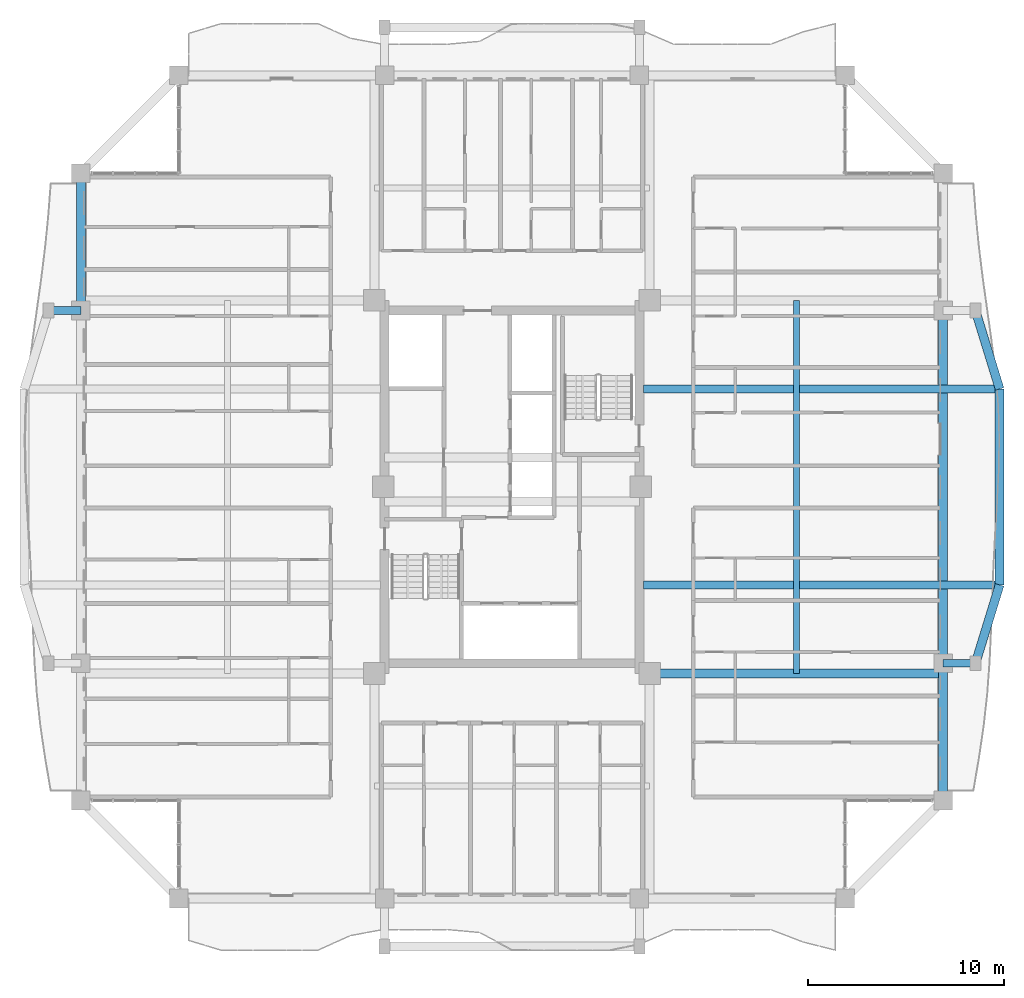
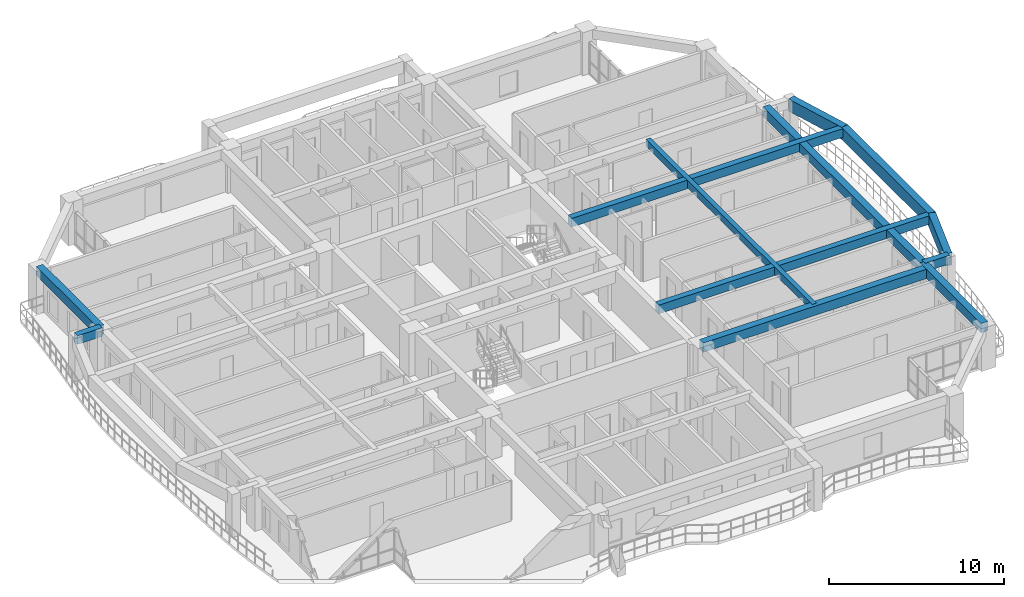
# One storey, part 5 of 24: 12 beams.
"""IFC4 building model written with IfcOpenShell, lengths in metres."""

from ifc_helpers import new_model, si_unit, direction, frame, origin, origin_2d, place, context, subcontext, project, spatial, rectangle, extrude, source, transform, mapped, material, material_profile, profile_set, type_object, element, save


model = new_model("IFC4")

# Units and contexts
model_context = context("Model", 3, precision=1e-05, world=origin(), true_north=direction((0.0, 1.0)))
body_context = subcontext(model_context, "Body", "Model", "MODEL_VIEW")
ifc_project = project(units=[si_unit("LENGTHUNIT", "METRE"), si_unit("AREAUNIT", "SQUARE_METRE"), si_unit("VOLUMEUNIT", "CUBIC_METRE"), si_unit("PLANEANGLEUNIT", "RADIAN"), si_unit("MASSUNIT", "GRAM", prefix="KILO")], contexts=[model_context])

# Site, building, storey
site_placement = place(None, origin())
site = spatial("IfcSite", under=ifc_project, at=site_placement, CompositionType="ELEMENT")
building_placement = place(site_placement, origin())
building = spatial("IfcBuilding", under=site, at=building_placement, Name="Saelheon Loggia Tower", CompositionType="ELEMENT")
storey_placement = place(building_placement, frame((0.0, 0.0, 166.0)))
storey = spatial("IfcBuildingStorey", under=building, at=storey_placement, Name="L52", CompositionType="ELEMENT", Elevation=166.0)

# Beams
ifc_material_1 = material(Name="Concrete C40/50", Category="concrete")
ifc_material_profile_1 = material_profile(ifc_material_1, rectangle(XDim=0.449951171875, YDim=0.64990234375, at=origin_2d()), Name="RC-450x650")
ifc_profile_set_1 = profile_set([ifc_material_profile_1], Name="Concrete C40/50")
beam_type_1 = type_object("IfcBeamType", Name="Beam_PerimTower_RC450x650", PredefinedType="BEAM", material=ifc_profile_set_1)
shared_shape_1 = source(origin(), body_context, "Body", "SweptSolid", [
    extrude(rectangle(XDim=0.449951171875, YDim=0.64990234375, at=origin_2d()), origin(), (0.0, 0.0, 1.0), 18.0),
])
beam_1_placement = place(storey_placement, frame((60.0, 18.0, 2.675048828125), z_axis=(0.0, 1.0, 0.0), x_axis=(-1.0, 0.0, 0.0)))
element("IfcBeam", 1, at=beam_1_placement, inside=storey, type_object=beam_type_1, Name="L52 Perimeter Frame Girder 06", PredefinedType="BEAM", context=body_context, shape_type="MappedRepresentation", body=[
    mapped(shared_shape_1, transform((0.0, 0.0, 0.0), scale=1.0)),
])
ifc_material_profile_2 = material_profile(ifc_material_1, rectangle(XDim=0.300048828125, YDim=0.5, at=origin_2d()), Name="RC-300x500")
ifc_profile_set_2 = profile_set([ifc_material_profile_2], Name="Concrete C40/50")
beam_type_2 = type_object("IfcBeamType", Name="Beam_Joist_RC300x500", PredefinedType="JOIST", material=ifc_profile_set_2)
shared_shape_2 = source(origin(), body_context, "Body", "SweptSolid", [
    extrude(rectangle(XDim=0.300048828125, YDim=0.5, at=origin_2d()), origin(), (0.0, 0.0, 1.0), 19.0400390625),
])
beam_2_placement = place(storey_placement, frame((52.510009765625, 17.47998046875, 2.75), z_axis=(0.0, 1.0, 0.0), x_axis=(-1.0, 0.0, 0.0)))
element("IfcBeam", 2, at=beam_2_placement, inside=storey, type_object=beam_type_2, Name="L52 East Floor Joist", PredefinedType="JOIST", context=body_context, shape_type="MappedRepresentation", body=[
    mapped(shared_shape_2, transform((0.0, 0.0, 0.0), scale=1.0)),
])
shared_shape_3 = source(origin(), body_context, "Body", "SweptSolid", [
    extrude(rectangle(XDim=0.449951171875, YDim=0.64990234375, at=origin_2d()), origin(), (0.0, 0.0, 1.0), 7.0),
])
for number, where, z_axis, x_axis, name in (
    (3, (60.0, 11.0, 2.675048828125), (0.0, 1.0, 0.0), (-1.0, 0.0, 0.0), "L52 Perimeter Frame Girder 05"),
    (4, (16.0, 43.0, 2.675048828125), (0.0, -1.0, 0.0), (1.0, 0.0, 0.0), "L52 Perimeter Frame Girder 13"),
):
    element("IfcBeam", number, at=place(storey_placement, frame(where, z_axis=z_axis, x_axis=x_axis)), inside=storey, type_object=beam_type_1, Name=name, PredefinedType="BEAM", context=body_context, shape_type="MappedRepresentation", body=[
        mapped(shared_shape_3, transform((0.0, 0.0, 0.0), scale=1.0)),
    ])
ifc_material_profile_3 = material_profile(ifc_material_1, rectangle(XDim=0.449951171875, YDim=0.64990234375, at=origin_2d()), Name="RC-450x650")
ifc_profile_set_3 = profile_set([ifc_material_profile_3], Name="Concrete C40/50")
beam_type_3 = type_object("IfcBeamType", Name="Beam_TowerGirder_RC450x650", PredefinedType="BEAM", material=ifc_profile_set_3)
shared_shape_4 = source(origin(), body_context, "Body", "SweptSolid", [
    extrude(rectangle(XDim=0.449951171875, YDim=0.64990234375, at=origin_2d()), origin(), (0.0, 0.0, 1.0), 14.97998046875),
])
beam_3_placement = place(storey_placement, frame((45.02001953125, 17.47998046875, 2.675048828125), z_axis=(1.0, 0.0, 0.0), x_axis=(0.0, 1.0, 0.0)))
element("IfcBeam", 5, at=beam_3_placement, inside=storey, type_object=beam_type_3, Name="L52 Radial Floor Girder RAD-SE-E", PredefinedType="BEAM", context=body_context, shape_type="MappedRepresentation", body=[
    mapped(shared_shape_4, transform((0.0, 0.0, 0.0), scale=1.0)),
])
ifc_material_2 = material(Name="Precast Concrete C45/55", Category="concrete")
ifc_material_profile_4 = material_profile(ifc_material_2, rectangle(XDim=0.39990234375, YDim=0.60009765625, at=origin_2d()), Name="RC-400x600")
ifc_profile_set_4 = profile_set([ifc_material_profile_4], Name="Precast Concrete C45/55")
beam_type_4 = type_object("IfcBeamType", Name="Beam_LoggiaTie_RC400x600", PredefinedType="BEAM", material=ifc_profile_set_4)
shared_shape_5 = source(origin(), body_context, "Body", "SweptSolid", [
    extrude(rectangle(XDim=0.39990234375, YDim=0.60009765625, at=origin_2d()), origin(), (0.0, 0.0, 1.0), 1.64990234375),
])
for number, where, z_axis, x_axis, name in (
    (6, (60.0, 18.0, 2.699951171875), (1.0, 0.0, 0.0), (0.0, 1.0, 0.0), "L52 Loggia Frame Tie Beam LP-E1"),
    (7, (16.0, 36.0, 2.699951171875), (-1.0, 0.0, 0.0), (0.0, -1.0, 0.0), "L52 Loggia Frame Tie Beam LP-W2"),
):
    element("IfcBeam", number, at=place(storey_placement, frame(where, z_axis=z_axis, x_axis=x_axis)), inside=storey, type_object=beam_type_4, Name=name, PredefinedType="BEAM", context=body_context, shape_type="MappedRepresentation", body=[
        mapped(shared_shape_5, transform((0.0, 0.0, 0.0), scale=1.0)),
    ])
shared_shape_6 = source(origin(), body_context, "Body", "SweptSolid", [
    extrude(rectangle(XDim=0.39990234375, YDim=0.60009765625, at=origin_2d()), origin(), (0.0, 0.0, 1.0), 18.159912109375),
])
for number, where, z_axis, x_axis, name in (
    (8, (44.719970703125, 22.0, 2.699951171875), (1.0, 0.0, 0.0), (0.0, 1.0, 0.0), "L52 Curved Facade Outrigger Beam E 1"),
    (9, (44.719970703125, 32.0, 2.699951171875), (1.0, 0.0, 0.0), (0.0, 1.0, 0.0), "L52 Curved Facade Outrigger Beam E 2"),
):
    element("IfcBeam", number, at=place(storey_placement, frame(where, z_axis=z_axis, x_axis=x_axis)), inside=storey, type_object=beam_type_4, Name=name, PredefinedType="BEAM", context=body_context, shape_type="MappedRepresentation", body=[
        mapped(shared_shape_6, transform((0.0, 0.0, 0.0), scale=1.0)),
    ])
ifc_material_profile_5 = material_profile(ifc_material_2, rectangle(XDim=0.449951171875, YDim=0.85009765625, at=origin_2d()), Name="RC-450x850")
ifc_profile_set_5 = profile_set([ifc_material_profile_5], Name="Precast Concrete C45/55")
beam_type_5 = type_object("IfcBeamType", Name="Beam_LoggiaSpandrel_RC450x850", PredefinedType="SPANDREL", material=ifc_profile_set_5)
shared_shape_7 = source(origin(), body_context, "Body", "SweptSolid", [
    extrude(rectangle(XDim=0.449951171875, YDim=0.85009765625, at=origin_2d()), origin(), (0.0, 0.0, 1.0), 4.184814453125),
])
for number, where, z_axis, x_axis, name in (
    (10, (61.64990234375, 18.0, 2.574951171875), (0.293913664135, 0.955831971653, 0.0), (-0.955831971653, 0.293913664135, 0.0), "L52 Curved Loggia Spandrel E 1"),
    (11, (62.8798828125, 32.0, 2.574951171875), (-0.293913664135, 0.955831971653, 0.0), (-0.955831971653, -0.293913664135, 0.0), "L52 Curved Loggia Spandrel E 3"),
):
    element("IfcBeam", number, at=place(storey_placement, frame(where, z_axis=z_axis, x_axis=x_axis)), inside=storey, type_object=beam_type_5, Name=name, PredefinedType="SPANDREL", context=body_context, shape_type="MappedRepresentation", body=[
        mapped(shared_shape_7, transform((0.0, 0.0, 0.0), scale=1.0)),
    ])
shared_shape_8 = source(origin(), body_context, "Body", "SweptSolid", [
    extrude(rectangle(XDim=0.449951171875, YDim=0.85009765625, at=origin_2d()), origin(), (0.0, 0.0, 1.0), 10.0),
])
beam_4_placement = place(storey_placement, frame((62.8798828125, 22.0, 2.574951171875), z_axis=(0.0, 1.0, 0.0), x_axis=(-1.0, 0.0, 0.0)))
element("IfcBeam", 12, at=beam_4_placement, inside=storey, type_object=beam_type_5, Name="L52 Curved Loggia Spandrel E 2", PredefinedType="SPANDREL", context=body_context, shape_type="MappedRepresentation", body=[
    mapped(shared_shape_8, transform((0.0, 0.0, 0.0), scale=1.0)),
])

save(model, "model.ifc")
